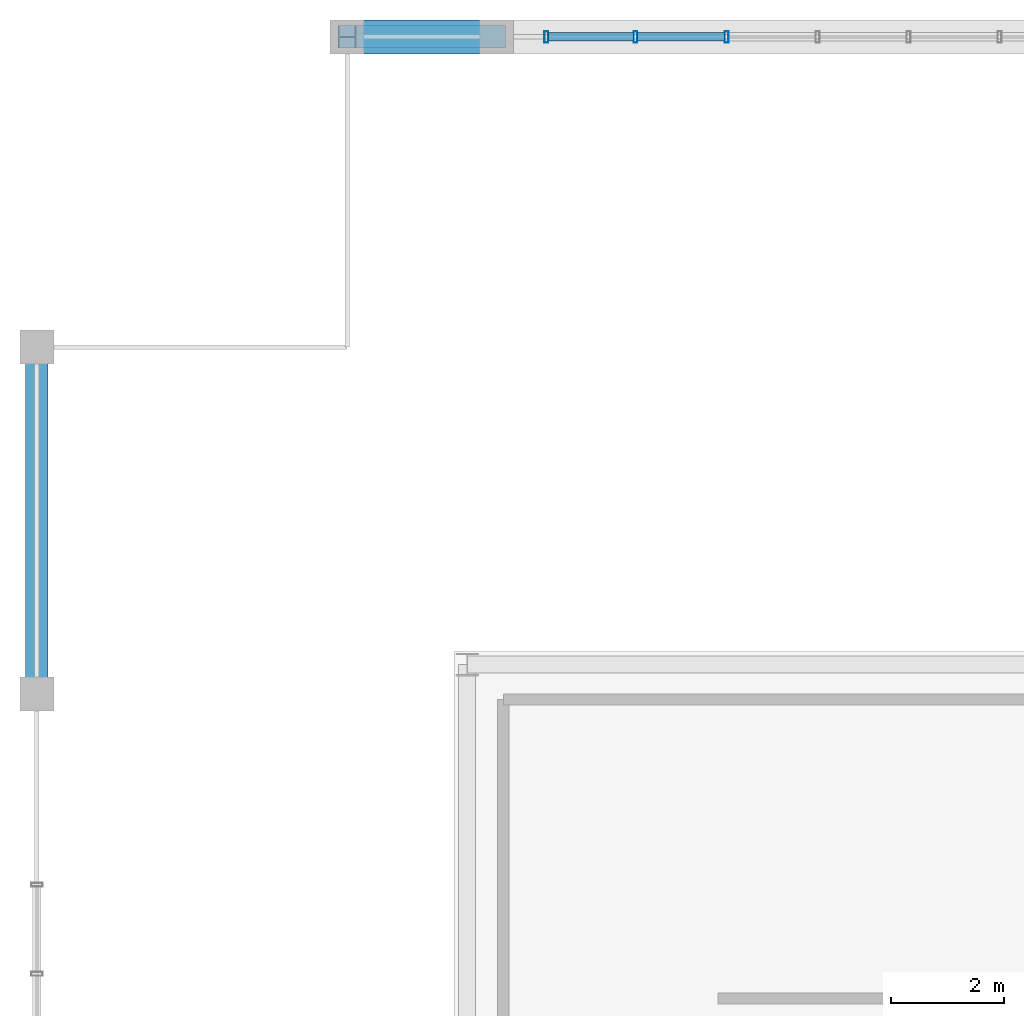
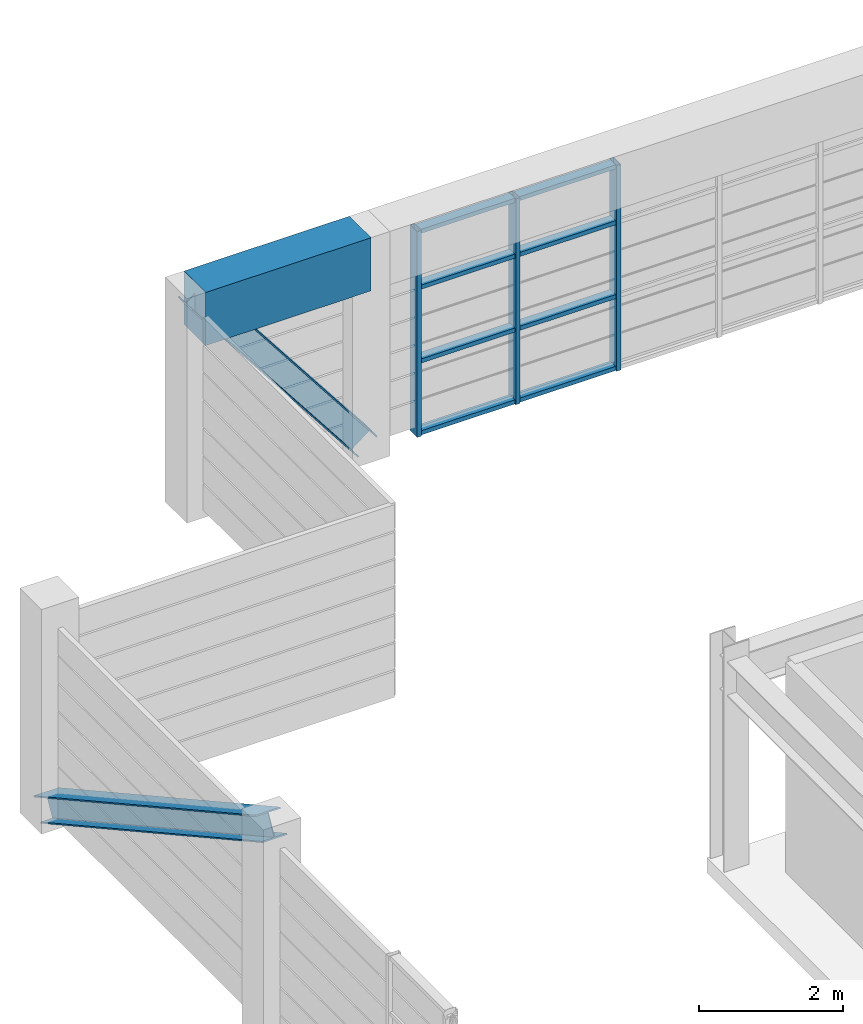
# One storey, part 12 of 21: 13 members, 1 beam, 1 element without a shape of its own.
"""IFC4 building model written with IfcOpenShell, lengths in metres."""

from ifc_helpers import new_model, si_unit, direction, frame, origin, origin_2d, place, context, subcontext, project, spatial, rectangle, hollow_rectangle, i_section, extrude, source, transform, mapped, material, layer, layer_set, material_profile, profile_set, type_object, element, aggregate, save


model = new_model("IFC4")

# Units and contexts
model_context = context("Model", 3, precision=1e-05, world=origin(), true_north=direction((0.0, 1.0)))
body_context = subcontext(model_context, "Body", "Model", "MODEL_VIEW")
ifc_project = project(units=[si_unit("LENGTHUNIT", "METRE"), si_unit("AREAUNIT", "SQUARE_METRE"), si_unit("VOLUMEUNIT", "CUBIC_METRE"), si_unit("PLANEANGLEUNIT", "RADIAN"), si_unit("MASSUNIT", "GRAM", prefix="KILO")], contexts=[model_context])

# Site, building, storey
site_placement = place(None, origin())
site = spatial("IfcSite", under=ifc_project, at=site_placement, CompositionType="ELEMENT")
building_placement = place(site_placement, origin())
building = spatial("IfcBuilding", under=site, at=building_placement, Name="Saelheon Loggia Tower", CompositionType="ELEMENT")
storey_placement = place(building_placement, frame((0.0, 0.0, 267.39990234375)))
storey = spatial("IfcBuildingStorey", under=building, at=storey_placement, Name="CR5", CompositionType="ELEMENT", Elevation=267.39990234375)

# Beam
ifc_material_1 = material(Name="Precast Concrete C45/55", Category="concrete")
ifc_material_profile_1 = material_profile(ifc_material_1, rectangle(XDim=0.60009765625, YDim=0.89990234375, at=origin_2d()), Name="RC-600x900")
ifc_profile_set_1 = profile_set([ifc_material_profile_1], Name="Precast Concrete C45/55")
beam_type = type_object("IfcBeamType", Name="CrownFrame_Ring_RC600x900", PredefinedType="BEAM", material=ifc_profile_set_1)
shared_shape_1 = source(origin(), body_context, "Body", "SweptSolid", [
    extrude(rectangle(XDim=0.60009765625, YDim=0.89990234375, at=origin_2d()), origin(), (0.0, 0.0, 1.0), 2.64990234375),
])
beam_placement = place(storey_placement, frame((31.5, 47.64990234375, 3.35009765625), z_axis=(-1.0, 0.0, 0.0), x_axis=(0.0, -1.0, 0.0)))
element("IfcBeam", 1, at=beam_placement, inside=storey, type_object=beam_type, Name="CR5 CROWN FRAME Sill Beam 11", PredefinedType="BEAM", context=body_context, shape_type="MappedRepresentation", body=[
    mapped(shared_shape_1, transform((0.0, 0.0, 0.0), scale=1.0)),
])

# Members
ifc_material_2 = material(Name="Steel SM355", Category="steel")
ifc_material_profile_2 = material_profile(ifc_material_2, i_section(OverallWidth=0.39990234375, OverallDepth=0.39990234375, WebThickness=0.012939453125, FlangeThickness=0.02099609375, at=origin_2d()), Name="H-400x400x13x21")
ifc_profile_set_2 = profile_set([ifc_material_profile_2], Name="Steel SM355")
member_type_1 = type_object("IfcMemberType", Name="CrownFrame_Brace_H400", PredefinedType="BRACE", material=ifc_profile_set_2)
shared_shape_2 = source(origin(), body_context, "Body", "SweptSolid", [
    extrude(i_section(OverallWidth=0.39990234375, OverallDepth=0.39990234375, WebThickness=0.012939453125, FlangeThickness=0.02099609375, at=origin_2d()), origin(), (0.0, 0.0, 1.0), 4.310546875),
])
member_1_placement = place(storey_placement, frame((31.5, 47.64990234375, 0.2001953125), z_axis=(-0.614740189852, 0.0, 0.788729674211), x_axis=(0.0, -1.0, 0.0)))
element("IfcMember", 2, at=member_1_placement, inside=storey, type_object=member_type_1, Name="CR5 CROWN FRAME Wind Brace 06", PredefinedType="BRACE", context=body_context, shape_type="MappedRepresentation", body=[
    mapped(shared_shape_2, transform((0.0, 0.0, 0.0), scale=1.0)),
])
shared_shape_3 = source(origin(), body_context, "Body", "SweptSolid", [
    extrude(i_section(OverallWidth=0.39990234375, OverallDepth=0.39990234375, WebThickness=0.012939453125, FlangeThickness=0.02099609375, at=origin_2d()), origin(), (0.0, 0.0, 1.0), 7.027099609375),
])
member_2_placement = place(storey_placement, frame((23.35009765625, 42.14990234375, 0.2001953125), z_axis=(0.0, -0.875164888097, 0.48382478093), x_axis=(1.0, 0.0, 0.0)))
element("IfcMember", 3, at=member_2_placement, inside=storey, type_object=member_type_1, Name="CR5 CROWN FRAME Wind Brace 07", PredefinedType="BRACE", context=body_context, shape_type="MappedRepresentation", body=[
    mapped(shared_shape_3, transform((0.0, 0.0, 0.0), scale=1.0)),
])

# Curtain wall, members
ifc_material_3 = material(Name="Bronze-Anodised Aluminium and Fritted Ceramic Screen", Category="aluminium")
ifc_layer = layer(ifc_material_3, 0.219970703125)
ifc_layer_set = layer_set([ifc_layer], Name="Bronze-Anodised Aluminium and Fritted Ceramic Screen")
curtain_wall_type = type_object("IfcCurtainWallType", Name="CW_CrownScreen", PredefinedType="NOTDEFINED", material=ifc_layer_set)
curtain_wall_placement = place(storey_placement, origin())
curtain_wall = element("IfcCurtainWall", 4, at=curtain_wall_placement, inside=storey, type_object=curtain_wall_type, Name="CR5 Crown Central Screen Curtain Wall 6", PredefinedType="NOTDEFINED")
ifc_material_4 = material(Name="Bronze-Anodised Aluminium 6063-T6", Category="aluminium")
ifc_material_profile_3 = material_profile(ifc_material_4, hollow_rectangle(XDim=0.070068359375, YDim=0.199951171875, WallThickness=0.0048828125, at=origin_2d()), Name="RHS-200x70x5")
ifc_profile_set_3 = profile_set([ifc_material_profile_3], Name="Bronze-Anodised Aluminium 6063-T6")
member_type_2 = type_object("IfcMemberType", Name="CW_CrownScreen_Mullion", PredefinedType="MULLION", material=ifc_profile_set_3)
shared_shape_4 = source(origin(), body_context, "Body", "SweptSolid", [
    extrude(hollow_rectangle(XDim=0.070068359375, YDim=0.199951171875, WallThickness=0.0048828125, at=origin_2d()), origin(), (0.0, 0.0, 1.0), 3.47998046875),
])
member_3_placement = place(storey_placement, frame((32.385009765625, 47.64990234375, 0.0), z_axis=(0.0, 0.0, 1.0), x_axis=(1.0, 0.0, 0.0)))
member_3 = element("IfcMember", 5, at=member_3_placement, type_object=member_type_2, Name="CW6 mullion 1", PredefinedType="MULLION", context=body_context, shape_type="MappedRepresentation", body=[
    mapped(shared_shape_4, transform((0.0, 0.0, 0.0), scale=1.0)),
])
member_4_placement = place(storey_placement, frame((33.96435546875, 47.64990234375, 0.0), z_axis=(0.0, 0.0, 1.0), x_axis=(1.0, 0.0, 0.0)))
member_4 = element("IfcMember", 6, at=member_4_placement, type_object=member_type_2, Name="CW6 mullion 2", PredefinedType="MULLION", context=body_context, shape_type="MappedRepresentation", body=[
    mapped(shared_shape_4, transform((0.0, 0.0, 0.0), scale=1.0)),
])
member_5_placement = place(storey_placement, frame((35.57861328125, 47.64990234375, 0.0), z_axis=(0.0, 0.0, 1.0), x_axis=(1.0, 0.0, 0.0)))
member_5 = element("IfcMember", 7, at=member_5_placement, type_object=member_type_2, Name="CW6 mullion 3", PredefinedType="MULLION", context=body_context, shape_type="MappedRepresentation", body=[
    mapped(shared_shape_4, transform((0.0, 0.0, 0.0), scale=1.0)),
])
ifc_material_profile_4 = material_profile(ifc_material_4, hollow_rectangle(XDim=0.070068359375, YDim=0.14990234375, WallThickness=0.0048828125, at=origin_2d()), Name="RHS-150x70x5")
ifc_profile_set_4 = profile_set([ifc_material_profile_4], Name="Bronze-Anodised Aluminium 6063-T6")
member_type_3 = type_object("IfcMemberType", Name="CW_CrownScreen_Transom", PredefinedType="USERDEFINED", material=ifc_profile_set_4)
shared_shape_5 = source(origin(), body_context, "Body", "SweptSolid", [
    extrude(hollow_rectangle(XDim=0.070068359375, YDim=0.14990234375, WallThickness=0.0048828125, at=origin_2d()), origin(), (0.0, 0.0, 1.0), 1.50927734375),
])
member_6_placement = place(storey_placement, frame((32.419921875, 47.64990234375, 0.03515625), z_axis=(1.0, 0.0, 0.0), x_axis=(0.0, 0.0, 1.0)))
member_6 = element("IfcMember", 8, at=member_6_placement, type_object=member_type_3, Name="CW6 transom 1.1", ObjectType="TRANSOM", PredefinedType="USERDEFINED", context=body_context, shape_type="MappedRepresentation", body=[
    mapped(shared_shape_5, transform((0.0, 0.0, 0.0), scale=1.0)),
])
member_7_placement = place(storey_placement, frame((32.419921875, 47.64990234375, 1.25), z_axis=(1.0, 0.0, 0.0), x_axis=(0.0, 0.0, 1.0)))
member_7 = element("IfcMember", 9, at=member_7_placement, type_object=member_type_3, Name="CW6 transom 1.2", ObjectType="TRANSOM", PredefinedType="USERDEFINED", context=body_context, shape_type="MappedRepresentation", body=[
    mapped(shared_shape_5, transform((0.0, 0.0, 0.0), scale=1.0)),
])
member_8_placement = place(storey_placement, frame((32.419921875, 47.64990234375, 2.5), z_axis=(1.0, 0.0, 0.0), x_axis=(0.0, 0.0, 1.0)))
member_8 = element("IfcMember", 10, at=member_8_placement, type_object=member_type_3, Name="CW6 transom 1.3", ObjectType="TRANSOM", PredefinedType="USERDEFINED", context=body_context, shape_type="MappedRepresentation", body=[
    mapped(shared_shape_5, transform((0.0, 0.0, 0.0), scale=1.0)),
])
member_9_placement = place(storey_placement, frame((32.419921875, 47.64990234375, 3.445068359375), z_axis=(1.0, 0.0, 0.0), x_axis=(0.0, 0.0, 1.0)))
member_9 = element("IfcMember", 11, at=member_9_placement, type_object=member_type_3, Name="CW6 transom 1.4", ObjectType="TRANSOM", PredefinedType="USERDEFINED", context=body_context, shape_type="MappedRepresentation", body=[
    mapped(shared_shape_5, transform((0.0, 0.0, 0.0), scale=1.0)),
])
shared_shape_6 = source(origin(), body_context, "Body", "SweptSolid", [
    extrude(hollow_rectangle(XDim=0.070068359375, YDim=0.14990234375, WallThickness=0.0048828125, at=origin_2d()), origin(), (0.0, 0.0, 1.0), 1.544189453125),
])
member_10_placement = place(storey_placement, frame((33.999267578125, 47.64990234375, 0.03515625), z_axis=(1.0, 0.0, 0.0), x_axis=(0.0, 0.0, 1.0)))
member_10 = element("IfcMember", 12, at=member_10_placement, type_object=member_type_3, Name="CW6 transom 2.1", ObjectType="TRANSOM", PredefinedType="USERDEFINED", context=body_context, shape_type="MappedRepresentation", body=[
    mapped(shared_shape_6, transform((0.0, 0.0, 0.0), scale=1.0)),
])
member_11_placement = place(storey_placement, frame((33.999267578125, 47.64990234375, 1.25), z_axis=(1.0, 0.0, 0.0), x_axis=(0.0, 0.0, 1.0)))
member_11 = element("IfcMember", 13, at=member_11_placement, type_object=member_type_3, Name="CW6 transom 2.2", ObjectType="TRANSOM", PredefinedType="USERDEFINED", context=body_context, shape_type="MappedRepresentation", body=[
    mapped(shared_shape_6, transform((0.0, 0.0, 0.0), scale=1.0)),
])
member_12_placement = place(storey_placement, frame((33.999267578125, 47.64990234375, 2.5), z_axis=(1.0, 0.0, 0.0), x_axis=(0.0, 0.0, 1.0)))
member_12 = element("IfcMember", 14, at=member_12_placement, type_object=member_type_3, Name="CW6 transom 2.3", ObjectType="TRANSOM", PredefinedType="USERDEFINED", context=body_context, shape_type="MappedRepresentation", body=[
    mapped(shared_shape_6, transform((0.0, 0.0, 0.0), scale=1.0)),
])
member_13_placement = place(storey_placement, frame((33.999267578125, 47.64990234375, 3.445068359375), z_axis=(1.0, 0.0, 0.0), x_axis=(0.0, 0.0, 1.0)))
member_13 = element("IfcMember", 15, at=member_13_placement, type_object=member_type_3, Name="CW6 transom 2.4", ObjectType="TRANSOM", PredefinedType="USERDEFINED", context=body_context, shape_type="MappedRepresentation", body=[
    mapped(shared_shape_6, transform((0.0, 0.0, 0.0), scale=1.0)),
])
aggregate(curtain_wall, [member_3, member_4, member_5, member_6, member_7, member_8, member_9, member_10, member_11, member_12, member_13])

save(model, "model.ifc")
